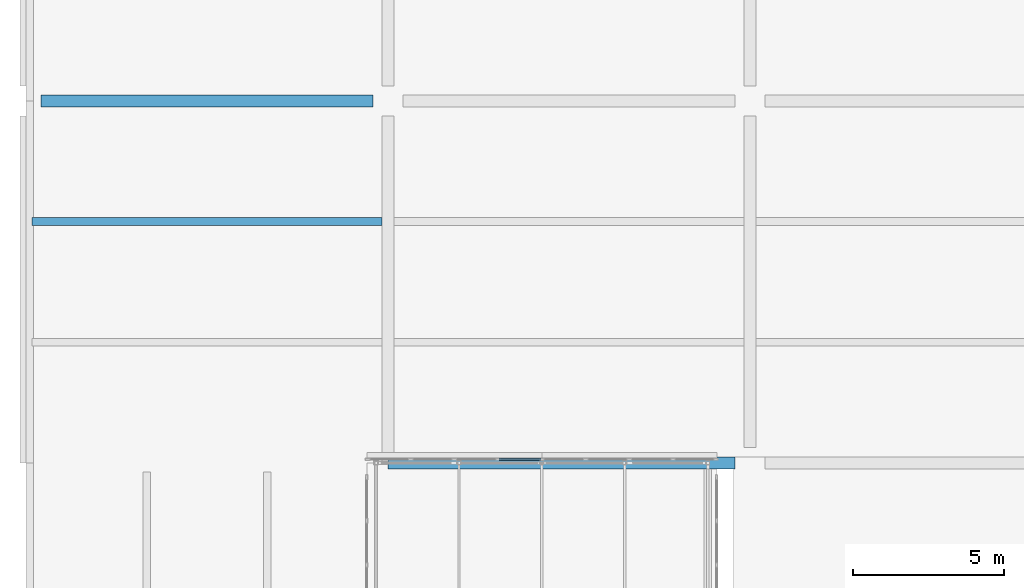
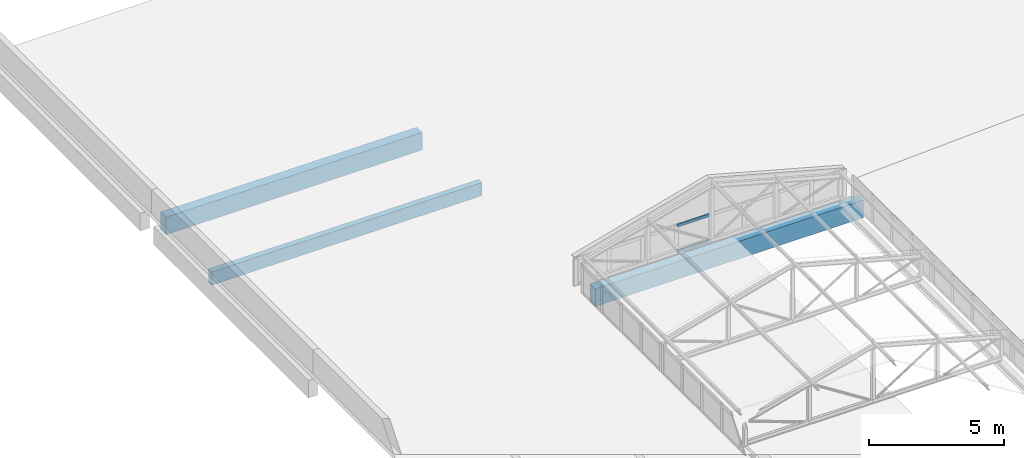
# One storey, part 61 of 94: 3 beams, 2 members, 1 element without a shape of its own.
"""IFC4 building model written with IfcOpenShell, lengths in metres."""

from ifc_helpers import new_model, si_unit, direction, frame, origin, origin_2d, place, context, subcontext, project, spatial, rectangle, extrude, material, layer, layer_set, material_profile, profile_set, type_object, element, aggregate, save


model = new_model("IFC4")

# Units and contexts
model_context = context("Model", 3, precision=1e-05, world=origin(), true_north=direction((0.0, 1.0)))
body_context = subcontext(model_context, "Body", "Model", "MODEL_VIEW")
ifc_project = project(units=[si_unit("LENGTHUNIT", "METRE"), si_unit("AREAUNIT", "SQUARE_METRE"), si_unit("VOLUMEUNIT", "CUBIC_METRE"), si_unit("PLANEANGLEUNIT", "RADIAN"), si_unit("MASSUNIT", "GRAM", prefix="KILO")], contexts=[model_context])

# Site, building, storey
site_placement = place(None, origin())
site = spatial("IfcSite", under=ifc_project, at=site_placement, CompositionType="ELEMENT")
building_placement = place(site_placement, origin())
building = spatial("IfcBuilding", under=site, at=building_placement, Name="Lilac Gate Convention Centre", CompositionType="ELEMENT")
storey_placement = place(building_placement, frame((0.0, 0.0, 21.0)))
storey = spatial("IfcBuildingStorey", under=building, at=storey_placement, Name="L04", CompositionType="ELEMENT", Elevation=21.0)

# Curtain wall, members
ifc_material_1 = material(Name="Aluminium framed double glazing", Category="aluminium")
ifc_layer = layer(ifc_material_1, 0.199951171875)
ifc_layer_set = layer_set([ifc_layer], Name="Aluminium framed double glazing")
curtain_wall_type = type_object("IfcCurtainWallType", Name="Unitised curtain wall 1500", PredefinedType="NOTDEFINED", material=ifc_layer_set)
curtain_wall_placement = place(storey_placement, origin())
curtain_wall = element("IfcCurtainWall", 1, at=curtain_wall_placement, inside=storey, type_object=curtain_wall_type, Name="Lantern end glazing N", PredefinedType="NOTDEFINED")
ifc_material_2 = material(Name="Aluminium alloy 6063", Category="aluminium")
ifc_material_profile_1 = material_profile(ifc_material_2, rectangle(XDim=0.06005859375, YDim=0.1201171875, at=origin_2d()), Name="Curtain wall transom 60 x 120")
ifc_profile_set_1 = profile_set([ifc_material_profile_1], Name="Aluminium alloy 6063")
member_type = type_object("IfcMemberType", Name="Curtain wall transom 60 x 120", PredefinedType="USERDEFINED", material=ifc_profile_set_1)
member_1_placement = place(storey_placement, frame((21.679931640625, 222.1201171875, 0.030029296875), z_axis=(1.0, 0.0, 0.0), x_axis=(0.0, 1.0, 0.0)))
member_1 = element("IfcMember", 2, at=member_1_placement, type_object=member_type, Name="CW transom 4.1", ObjectType="TRANSOM", PredefinedType="USERDEFINED", context=body_context, shape_type="SweptSolid", body=[
    extrude(rectangle(XDim=0.06005859375, YDim=0.1201171875, at=origin_2d()), origin(), (0.0, 0.0, 1.0), 1.39013671875),
])
member_2_placement = place(storey_placement, frame((21.679931640625, 222.1201171875, 1.192138671875), z_axis=(1.0, 0.0, 0.0), x_axis=(0.0, 1.0, 0.0)))
member_2 = element("IfcMember", 3, at=member_2_placement, type_object=member_type, Name="CW transom 4.2", ObjectType="TRANSOM", PredefinedType="USERDEFINED", context=body_context, shape_type="SweptSolid", body=[
    extrude(rectangle(XDim=0.06005859375, YDim=0.1201171875, at=origin_2d()), origin(), (0.0, 0.0, 1.0), 1.39013671875),
])
aggregate(curtain_wall, [member_1, member_2])

# Beams
ifc_material_3 = material(Name="Concrete C40", Category="concrete")
ifc_material_profile_2 = material_profile(ifc_material_3, rectangle(XDim=0.39990234375, YDim=0.800048828125, at=origin_2d()), Name="RC 400x800")
ifc_profile_set_2 = profile_set([ifc_material_profile_2], Name="Concrete C40")
beam_type_1 = type_object("IfcBeamType", Name="Tower primary beam 400x800 C40", PredefinedType="BEAM", material=ifc_profile_set_2)
beam_1_placement = place(storey_placement, frame((18.0, 222.0, -0.60009765625), z_axis=(1.0, 0.0, 0.0), x_axis=(0.0, 1.0, 0.0)))
element("IfcBeam", 4, at=beam_1_placement, inside=storey, type_object=beam_type_1, Name="RB3 L04 2/S-3/S", PredefinedType="BEAM", context=body_context, shape_type="SweptSolid", body=[
    extrude(rectangle(XDim=0.39990234375, YDim=0.800048828125, at=origin_2d()), origin(), (0.0, 0.0, 1.0), 11.5),
])
beam_2_placement = place(storey_placement, frame((6.5, 234.0, -0.60009765625), z_axis=(1.0, 0.0, 0.0), x_axis=(0.0, 1.0, 0.0)))
element("IfcBeam", 5, at=beam_2_placement, inside=storey, type_object=beam_type_1, Name="RB3 L04 1/T-2/T", PredefinedType="BEAM", context=body_context, shape_type="SweptSolid", body=[
    extrude(rectangle(XDim=0.39990234375, YDim=0.800048828125, at=origin_2d()), origin(), (0.0, 0.0, 1.0), 11.0),
])
ifc_material_profile_3 = material_profile(ifc_material_3, rectangle(XDim=0.25, YDim=0.60009765625, at=origin_2d()), Name="RC 250x600")
ifc_profile_set_3 = profile_set([ifc_material_profile_3], Name="Concrete C40")
beam_type_2 = type_object("IfcBeamType", Name="Tower secondary beam 250x600 C40", PredefinedType="BEAM", material=ifc_profile_set_3)
beam_3_placement = place(storey_placement, frame((6.199951171875, 230.0, -0.5), z_axis=(1.0, 0.0, 0.0), x_axis=(0.0, 1.0, 0.0)))
element("IfcBeam", 6, at=beam_3_placement, inside=storey, type_object=beam_type_2, Name="RB4 L04 bay 1/S", PredefinedType="BEAM", context=body_context, shape_type="SweptSolid", body=[
    extrude(rectangle(XDim=0.25, YDim=0.60009765625, at=origin_2d()), origin(), (0.0, 0.0, 1.0), 11.60009765625),
])

save(model, "model.ifc")
